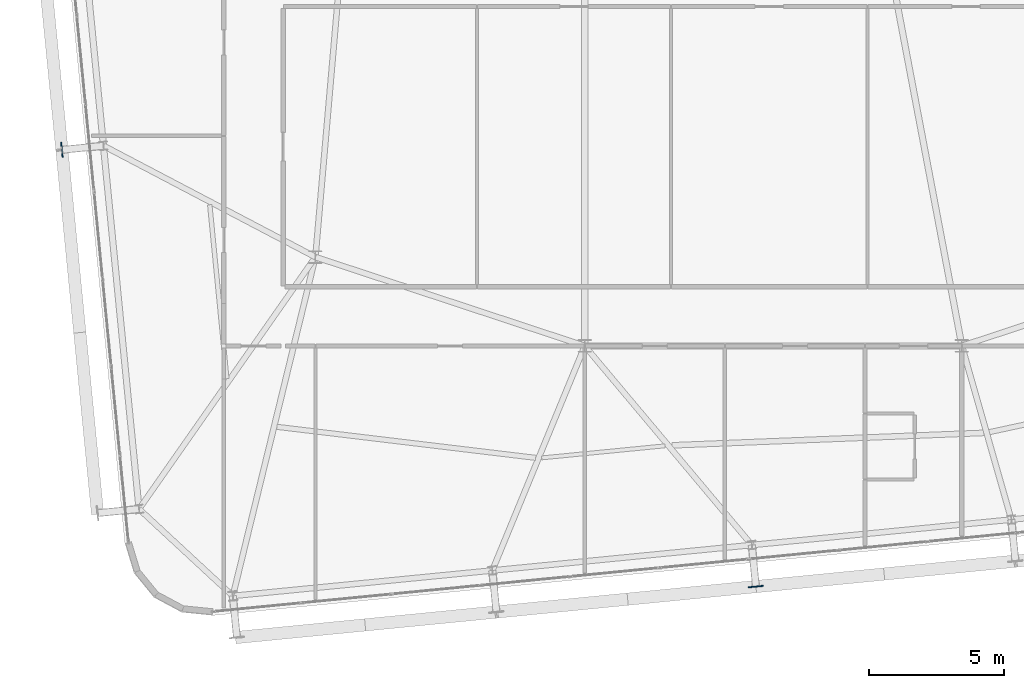
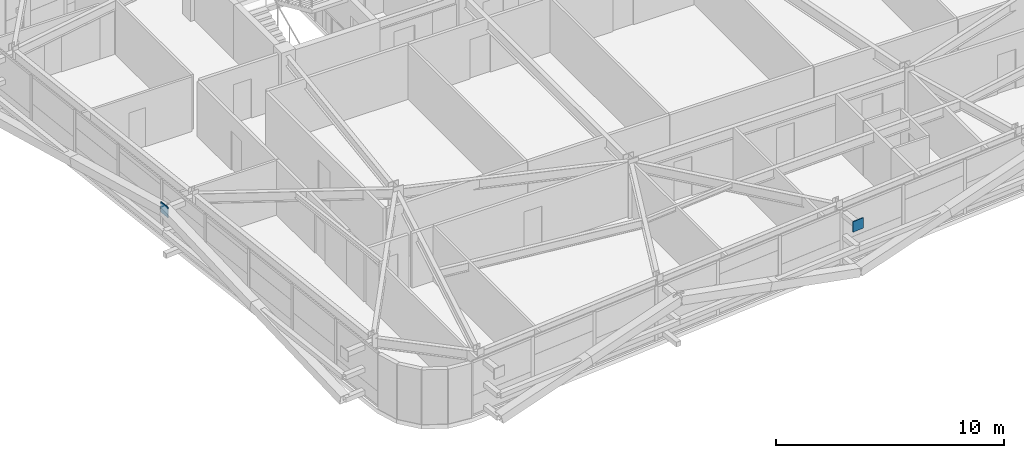
# One storey, part 39 of 52: 2 plates.
"""IFC4 building model written with IfcOpenShell, lengths in metres."""

from ifc_helpers import new_model, si_unit, direction, frame, origin, origin_2d, place, context, subcontext, project, spatial, rectangle, extrude, source, transform, mapped, material, layer, layer_set, type_object, element, save


model = new_model("IFC4")

# Units and contexts
model_context = context("Model", 3, precision=1e-05, world=origin(), true_north=direction((0.0, 1.0)))
body_context = subcontext(model_context, "Body", "Model", "MODEL_VIEW")
ifc_project = project(units=[si_unit("LENGTHUNIT", "METRE"), si_unit("AREAUNIT", "SQUARE_METRE"), si_unit("VOLUMEUNIT", "CUBIC_METRE"), si_unit("PLANEANGLEUNIT", "RADIAN"), si_unit("MASSUNIT", "GRAM", prefix="KILO")], contexts=[model_context])

# Site, building, storey
site_placement = place(None, origin())
site = spatial("IfcSite", under=ifc_project, at=site_placement, CompositionType="ELEMENT")
building_placement = place(site_placement, origin())
building = spatial("IfcBuilding", under=site, at=building_placement, Name="Taldren Reach Tower", CompositionType="ELEMENT")
storey_placement = place(building_placement, frame((0.0, 0.0, 93.449951171875)))
storey = spatial("IfcBuildingStorey", under=building, at=storey_placement, Name="L28", CompositionType="ELEMENT", Elevation=93.449951171875)

# Plates
ifc_material = material(Name="Steel Gr 450 (C450L0)", Category="steel")
ifc_layer = layer(ifc_material, 0.0400390625)
ifc_layer_set = layer_set([ifc_layer], Name="Steel Gr 450 (C450L0)")
plate_type = type_object("IfcPlateType", Name="PL-GUSSET-40", PredefinedType="SHEET", material=ifc_layer_set)
shared_shape = source(origin(), body_context, "Body", "SweptSolid", [
    extrude(rectangle(XDim=0.56005859375, YDim=0.0400390625, at=origin_2d()), origin(), (0.0, 0.0, 1.0), 0.56005859375),
])
for number, where, z_axis, x_axis, name in (
    (1, (34.35302734375, 0.2666015625, 2.3701171875), (0.0, 0.0, 1.0), (0.995227399982, 0.097582899759, 0.0), "Exoskeleton star-node gusset plate B2-S3 L28"),
    (2, (8.587890625, 16.479736328125, 2.3701171875), (0.0, 0.0, 1.0), (-0.097582899759, 0.995227399982, 0.0), "Exoskeleton star-node gusset plate B2-W2 L28"),
):
    element("IfcPlate", number, at=place(storey_placement, frame(where, z_axis=z_axis, x_axis=x_axis)), inside=storey, type_object=plate_type, Name=name, PredefinedType="SHEET", context=body_context, shape_type="MappedRepresentation", body=[
        mapped(shared_shape, transform((0.0, 0.0, 0.0), scale=1.0)),
    ])

save(model, "model.ifc")
